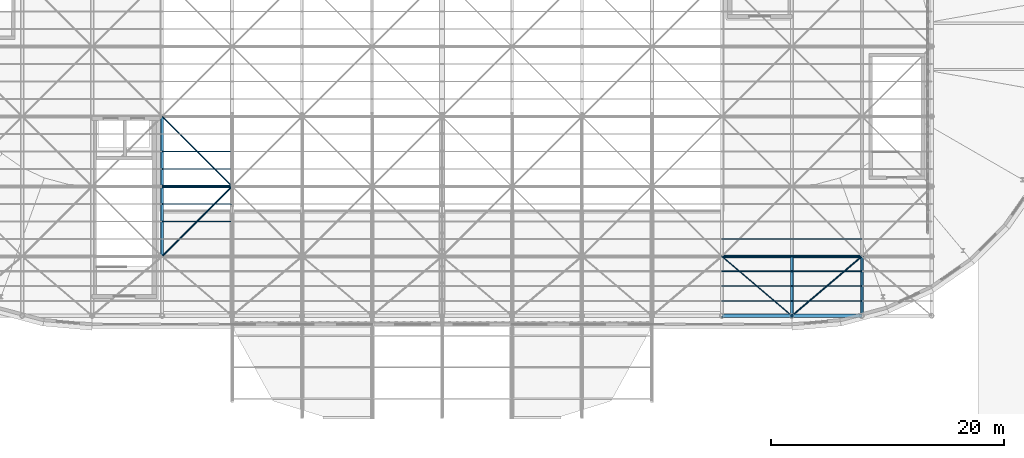
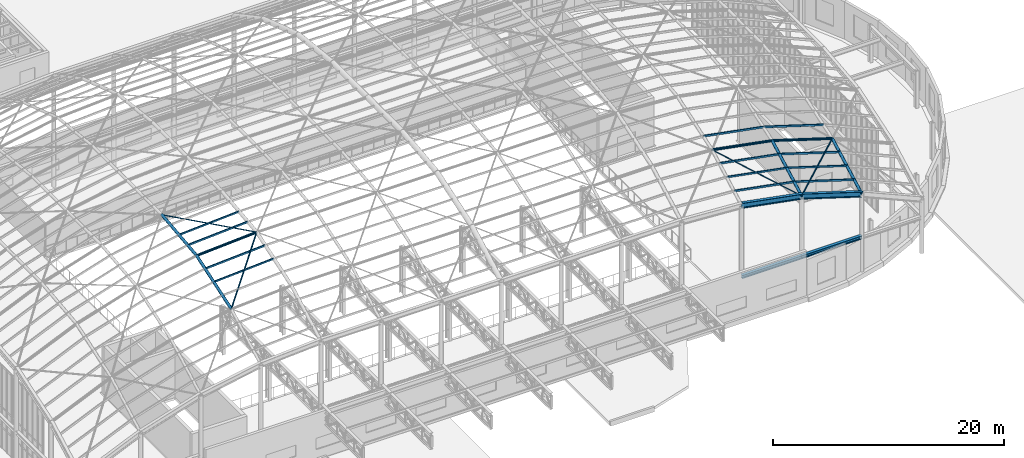
# One storey, part 28 of 75: 23 members, 4 beams.
"""IFC4 building model written with IfcOpenShell, lengths in metres."""

from ifc_helpers import new_model, si_unit, direction, frame, origin, origin_2d, place, context, subcontext, project, spatial, hollow_rectangle, hollow_circle, i_section, extrude, material, material_profile, profile_set, type_object, element, save


model = new_model("IFC4")

# Units and contexts
model_context = context("Model", 3, precision=1e-05, world=origin(), true_north=direction((0.0, 1.0)))
body_context = subcontext(model_context, "Body", "Model", "MODEL_VIEW")
ifc_project = project(units=[si_unit("LENGTHUNIT", "METRE"), si_unit("AREAUNIT", "SQUARE_METRE"), si_unit("VOLUMEUNIT", "CUBIC_METRE"), si_unit("PLANEANGLEUNIT", "RADIAN"), si_unit("MASSUNIT", "GRAM", prefix="KILO")], contexts=[model_context])

# Site, building, storey
site_placement = place(None, origin())
site = spatial("IfcSite", under=ifc_project, at=site_placement, CompositionType="ELEMENT")
building_placement = place(site_placement, origin())
building = spatial("IfcBuilding", under=site, at=building_placement, Name="Kolvaren Corner Interchange", CompositionType="ELEMENT")
storey_placement = place(building_placement, frame((0.0, 0.0, 10.5)))
storey = spatial("IfcBuildingStorey", under=building, at=storey_placement, Name="L03", CompositionType="ELEMENT", Elevation=10.5)

# Beams
ifc_material_1 = material(Name="Steel S355", Category="steel")
ifc_material_profile_1 = material_profile(ifc_material_1, i_section(OverallWidth=0.300048828125, OverallDepth=0.35009765625, WebThickness=0.010009765625, FlangeThickness=0.017578125, FilletRadius=0.027099609375, at=origin_2d()), Name="HEA 360")
ifc_profile_set_1 = profile_set([ifc_material_profile_1], Name="Steel S355")
beam_type_1 = type_object("IfcBeamType", Name="BM-HEA360", PredefinedType="BEAM", material=ifc_profile_set_1)
for number, where, z_axis, x_axis, name in (
    (1, (114.0, 24.89990234375, 3.77490234375), (1.0, 0.0, 0.0), (0.0, 1.0, 0.0), "Storey L03 Grid X Primary Girder 0840"),
    (2, (120.0, 24.89990234375, 3.77490234375), (1.0, 0.0, 0.0), (0.0, 1.0, 0.0), "Storey L03 Grid X Primary Girder 0841"),
):
    element("IfcBeam", number, at=place(storey_placement, frame(where, z_axis=z_axis, x_axis=x_axis)), inside=storey, type_object=beam_type_1, Name=name, PredefinedType="BEAM", context=body_context, shape_type="SweptSolid", body=[
        extrude(i_section(OverallWidth=0.300048828125, OverallDepth=0.35009765625, WebThickness=0.010009765625, FlangeThickness=0.017578125, FilletRadius=0.027099609375, at=origin_2d()), origin(), (0.0, 0.0, 1.0), 6.0),
    ])
ifc_material_2 = material(Name="Steel S355", Category="steel")
ifc_material_profile_2 = material_profile(ifc_material_2, i_section(OverallWidth=0.300048828125, OverallDepth=0.5400390625, WebThickness=0.012451171875, FlangeThickness=0.02392578125, FilletRadius=0.027099609375, at=origin_2d()), Name="HEA 550")
ifc_profile_set_2 = profile_set([ifc_material_profile_2], Name="Steel S355")
beam_type_2 = type_object("IfcBeamType", Name="BM-HEA550", PredefinedType="BEAM", material=ifc_profile_set_2)
beam_1_placement = place(storey_placement, frame((114.0, 24.89990234375, 11.2900390625), z_axis=(0.982872186934, 0.0, -0.18428853505), x_axis=(0.0, 1.0, 0.0)))
element("IfcBeam", 3, at=beam_1_placement, inside=storey, type_object=beam_type_2, Name="Concourse Translational Gridshell Eaves Ring Beam 012", PredefinedType="BEAM", context=body_context, shape_type="SweptSolid", body=[
    extrude(i_section(OverallWidth=0.300048828125, OverallDepth=0.5400390625, WebThickness=0.012451171875, FlangeThickness=0.02392578125, FilletRadius=0.027099609375, at=origin_2d()), origin(), (0.0, 0.0, 1.0), 6.1044921875),
])
beam_2_placement = place(storey_placement, frame((120.0, 24.89990234375, 10.1650390625), z_axis=(0.954479978035, 0.0, -0.298274993136), x_axis=(0.0, 1.0, 0.0)))
element("IfcBeam", 4, at=beam_2_placement, inside=storey, type_object=beam_type_2, Name="Concourse Translational Gridshell Eaves Ring Beam 013", PredefinedType="BEAM", context=body_context, shape_type="SweptSolid", body=[
    extrude(i_section(OverallWidth=0.300048828125, OverallDepth=0.5400390625, WebThickness=0.012451171875, FlangeThickness=0.02392578125, FilletRadius=0.027099609375, at=origin_2d()), origin(), (0.0, 0.0, 1.0), 6.2861328125),
])

# Members
ifc_material_3 = material(Name="Steel S355", Category="steel")
ifc_material_profile_3 = material_profile(ifc_material_3, hollow_circle(Radius=0.05078125, WallThickness=0.00634765625, at=origin_2d()), Name="CHS 101.6x6.3")
ifc_profile_set_3 = profile_set([ifc_material_profile_3], Name="Steel S355")
member_type_1 = type_object("IfcMemberType", Name="MEM-BR-CHS102", PredefinedType="BRACE", material=ifc_profile_set_3)
member_1_placement = place(storey_placement, frame((66.0, 42.0, 16.705078125), z_axis=(0.706688489265, -0.706688489265, -0.034391252977), x_axis=(0.707106781187, 0.707106781187, 0.0)))
element("IfcMember", 5, at=member_1_placement, inside=storey, type_object=member_type_1, Name="Concourse Translational Gridshell Nodal Diagonal Brace 0027", PredefinedType="BRACE", context=body_context, shape_type="SweptSolid", body=[
    extrude(hollow_circle(Radius=0.05078125, WallThickness=0.00634765625, at=origin_2d()), origin(), (0.0, 0.0, 1.0), 8.490234375),
])
member_2_placement = place(storey_placement, frame((114.0, 30.0, 14.0380859375), z_axis=(0.683712456602, -0.581166716244, -0.44134173224), x_axis=(0.647655619635, 0.761933198092, 0.0)))
element("IfcMember", 6, at=member_2_placement, inside=storey, type_object=member_type_1, Name="Concourse Translational Gridshell Nodal Diagonal Brace 0089", PredefinedType="BRACE", context=body_context, shape_type="SweptSolid", body=[
    extrude(hollow_circle(Radius=0.05078125, WallThickness=0.00634765625, at=origin_2d()), origin(), (0.0, 0.0, 1.0), 8.775634765625),
])
ifc_material_4 = material(Name="Steel S355", Category="steel")
ifc_material_profile_4 = material_profile(ifc_material_4, hollow_circle(Radius=0.06982421875, WallThickness=0.008056640625, at=origin_2d()), Name="CHS 139.7x8.0")
ifc_profile_set_4 = profile_set([ifc_material_profile_4], Name="Steel S355")
member_type_2 = type_object("IfcMemberType", Name="MEM-BR-CHS140", PredefinedType="BRACE", material=ifc_profile_set_4)
member_3_placement = place(storey_placement, frame((66.0, 30.0, 14.0380859375), z_axis=(0.680936695779, 0.680936695779, 0.269537442079), x_axis=(-0.707106781187, 0.707106781187, 0.0)))
element("IfcMember", 7, at=member_3_placement, inside=storey, type_object=member_type_2, Name="Concourse Translational Gridshell Nodal Diagonal Brace 0026", PredefinedType="BRACE", context=body_context, shape_type="SweptSolid", body=[
    extrude(hollow_circle(Radius=0.06982421875, WallThickness=0.008056640625, at=origin_2d()), origin(), (0.0, 0.0, 1.0), 8.811279296875),
])
member_4_placement = place(storey_placement, frame((120.0, 24.89990234375, 10.1650390625), z_axis=(0.757293261075, 0.64371159765, 0.11019208584), x_axis=(-0.647655619635, 0.761933198092, 0.0)))
element("IfcMember", 8, at=member_4_placement, inside=storey, type_object=member_type_2, Name="Concourse Translational Gridshell Nodal Diagonal Brace 0097", PredefinedType="BRACE", context=body_context, shape_type="SweptSolid", body=[
    extrude(hollow_circle(Radius=0.06982421875, WallThickness=0.008056640625, at=origin_2d()), origin(), (0.0, 0.0, 1.0), 7.9228515625),
])
ifc_material_5 = material(Name="Steel S355", Category="steel")
ifc_material_profile_5 = material_profile(ifc_material_5, hollow_circle(Radius=0.122314453125, WallThickness=0.012451171875, at=origin_2d()), Name="CHS 244.5x12.5")
ifc_profile_set_5 = profile_set([ifc_material_profile_5], Name="Steel S355")
member_type_3 = type_object("IfcMemberType", Name="MEM-CH-CHS245", PredefinedType="CHORD", material=ifc_profile_set_5)
member_5_placement = place(storey_placement, frame((114.0, 30.0, 14.0380859375), z_axis=(0.982872186934, 0.0, -0.18428853505), x_axis=(0.0, 1.0, 0.0)))
element("IfcMember", 9, at=member_5_placement, inside=storey, type_object=member_type_3, Name="Concourse Translational Gridshell Longitudinal Arch Chord 0116", PredefinedType="CHORD", context=body_context, shape_type="SweptSolid", body=[
    extrude(hollow_circle(Radius=0.122314453125, WallThickness=0.012451171875, at=origin_2d()), origin(), (0.0, 0.0, 1.0), 6.1044921875),
])
member_6_placement = place(storey_placement, frame((120.0, 30.0, 12.9130859375), z_axis=(0.954479978035, 0.0, -0.298274993136), x_axis=(0.0, 1.0, 0.0)))
element("IfcMember", 10, at=member_6_placement, inside=storey, type_object=member_type_3, Name="Concourse Translational Gridshell Longitudinal Arch Chord 0117", PredefinedType="CHORD", context=body_context, shape_type="SweptSolid", body=[
    extrude(hollow_circle(Radius=0.122314453125, WallThickness=0.012451171875, at=origin_2d()), origin(), (0.0, 0.0, 1.0), 6.2861328125),
])
member_7_placement = place(storey_placement, frame((66.0, 36.0, 16.0380859375), z_axis=(0.998052578483, 0.0, 0.062378286155), x_axis=(0.0, 1.0, 0.0)))
element("IfcMember", 11, at=member_7_placement, inside=storey, type_object=member_type_3, Name="Concourse Translational Gridshell Longitudinal Arch Chord 0122", PredefinedType="CHORD", context=body_context, shape_type="SweptSolid", body=[
    extrude(hollow_circle(Radius=0.122314453125, WallThickness=0.012451171875, at=origin_2d()), origin(), (0.0, 0.0, 1.0), 6.01171875),
])
ifc_material_6 = material(Name="Steel S355", Category="steel")
ifc_material_profile_6 = material_profile(ifc_material_6, hollow_circle(Radius=0.136474609375, WallThickness=0.012451171875, at=origin_2d()), Name="CHS 273.0x12.5")
ifc_profile_set_6 = profile_set([ifc_material_profile_6], Name="Steel S355")
member_type_4 = type_object("IfcMemberType", Name="MEM-CH-CHS273", PredefinedType="CHORD", material=ifc_profile_set_6)
member_8_placement = place(storey_placement, frame((66.0, 30.0, 14.0380859375), z_axis=(0.0, 0.948683298051, 0.316227766017), x_axis=(-1.0, 0.0, 0.0)))
element("IfcMember", 12, at=member_8_placement, inside=storey, type_object=member_type_4, Name="Concourse Translational Gridshell Transverse Arch Chord 0018", PredefinedType="CHORD", context=body_context, shape_type="SweptSolid", body=[
    extrude(hollow_circle(Radius=0.136474609375, WallThickness=0.012451171875, at=origin_2d()), origin(), (0.0, 0.0, 1.0), 6.324462890625),
])
member_9_placement = place(storey_placement, frame((66.0, 36.0, 16.0380859375), z_axis=(0.0, 0.993877815052, 0.110484789662), x_axis=(-1.0, 0.0, 0.0)))
element("IfcMember", 13, at=member_9_placement, inside=storey, type_object=member_type_4, Name="Concourse Translational Gridshell Transverse Arch Chord 0019", PredefinedType="CHORD", context=body_context, shape_type="SweptSolid", body=[
    extrude(hollow_circle(Radius=0.136474609375, WallThickness=0.012451171875, at=origin_2d()), origin(), (0.0, 0.0, 1.0), 6.036865234375),
])
for number, where, z_axis, x_axis, name in (
    (14, (120.0, 24.89990234375, 10.1650390625), (0.0, 0.880338454691, 0.474346081666), (-1.0, 0.0, 0.0), "Concourse Translational Gridshell Transverse Arch Chord 0089"),
    (15, (126.0, 24.89990234375, 8.2900390625), (0.0, 0.880338454691, 0.474346081666), (-1.0, 0.0, 0.0), "Concourse Translational Gridshell Transverse Arch Chord 0097"),
):
    element("IfcMember", number, at=place(storey_placement, frame(where, z_axis=z_axis, x_axis=x_axis)), inside=storey, type_object=member_type_4, Name=name, PredefinedType="CHORD", context=body_context, shape_type="SweptSolid", body=[
        extrude(hollow_circle(Radius=0.136474609375, WallThickness=0.012451171875, at=origin_2d()), origin(), (0.0, 0.0, 1.0), 5.79345703125),
    ])
ifc_material_7 = material(Name="Steel S355", Category="steel")
ifc_material_profile_7 = material_profile(ifc_material_7, hollow_rectangle(XDim=0.10009765625, YDim=0.179931640625, WallThickness=0.008056640625, InnerFilletRadius=0.008056640625, OuterFilletRadius=0.01611328125, at=origin_2d()), Name="RHS 180x100x8.0")
ifc_profile_set_7 = profile_set([ifc_material_profile_7], Name="Steel S355")
member_type_5 = type_object("IfcMemberType", Name="MEM-PR-RHS180", PredefinedType="PURLIN", material=ifc_profile_set_7)
for number, where, z_axis, x_axis, name in (
    (16, (66.0, 33.0, 15.0859375), (0.998052578483, 0.0, 0.062378286155), (0.0, 1.0, 0.0), "Concourse Translational Gridshell Glazing Purlin 0026 Row 2"),
    (17, (66.0, 39.0, 16.41943359375), (0.998052578483, 0.0, 0.062378286155), (0.0, 1.0, 0.0), "Concourse Translational Gridshell Glazing Purlin 0027 Row 2"),
):
    element("IfcMember", number, at=place(storey_placement, frame(where, z_axis=z_axis, x_axis=x_axis)), inside=storey, type_object=member_type_5, Name=name, PredefinedType="PURLIN", context=body_context, shape_type="SweptSolid", body=[
        extrude(hollow_rectangle(XDim=0.10009765625, YDim=0.179931640625, WallThickness=0.008056640625, InnerFilletRadius=0.008056640625, OuterFilletRadius=0.01611328125, at=origin_2d()), origin(), (0.0, 0.0, 1.0), 6.01171875),
    ])
member_10_placement = place(storey_placement, frame((114.0, 27.449951171875, 12.7119140625), z_axis=(0.982872186934, 0.0, -0.18428853505), x_axis=(0.0, 1.0, 0.0)))
element("IfcMember", 18, at=member_10_placement, inside=storey, type_object=member_type_5, Name="Concourse Translational Gridshell Glazing Purlin 0089 Row 2", PredefinedType="PURLIN", context=body_context, shape_type="SweptSolid", body=[
    extrude(hollow_rectangle(XDim=0.10009765625, YDim=0.179931640625, WallThickness=0.008056640625, InnerFilletRadius=0.008056640625, OuterFilletRadius=0.01611328125, at=origin_2d()), origin(), (0.0, 0.0, 1.0), 6.1044921875),
])
member_11_placement = place(storey_placement, frame((120.0, 27.449951171875, 11.5869140625), z_axis=(0.954479978035, 0.0, -0.298274993136), x_axis=(0.0, 1.0, 0.0)))
element("IfcMember", 19, at=member_11_placement, inside=storey, type_object=member_type_5, Name="Concourse Translational Gridshell Glazing Purlin 0097 Row 2", PredefinedType="PURLIN", context=body_context, shape_type="SweptSolid", body=[
    extrude(hollow_rectangle(XDim=0.10009765625, YDim=0.179931640625, WallThickness=0.008056640625, InnerFilletRadius=0.008056640625, OuterFilletRadius=0.01611328125, at=origin_2d()), origin(), (0.0, 0.0, 1.0), 6.2861328125),
])
ifc_material_8 = material(Name="Steel S355", Category="steel")
ifc_material_profile_8 = material_profile(ifc_material_8, hollow_rectangle(XDim=0.10009765625, YDim=0.199951171875, WallThickness=0.008056640625, InnerFilletRadius=0.008056640625, OuterFilletRadius=0.01611328125, at=origin_2d()), Name="RHS 200x100x8.0")
ifc_profile_set_8 = profile_set([ifc_material_profile_8], Name="Steel S355")
member_type_6 = type_object("IfcMemberType", Name="MEM-PR-RHS200", PredefinedType="PURLIN", material=ifc_profile_set_8)
for number, where, z_axis, x_axis, name in (
    (20, (66.0, 34.5, 15.575927734375), (0.998052578483, 0.0, 0.062378286155), (0.0, 1.0, 0.0), "Concourse Translational Gridshell Glazing Purlin 0026 Row 3"),
    (21, (66.0, 37.5, 16.24267578125), (0.998052578483, 0.0, 0.062378286155), (0.0, 1.0, 0.0), "Concourse Translational Gridshell Glazing Purlin 0027 Row 1"),
):
    element("IfcMember", number, at=place(storey_placement, frame(where, z_axis=z_axis, x_axis=x_axis)), inside=storey, type_object=member_type_6, Name=name, PredefinedType="PURLIN", context=body_context, shape_type="SweptSolid", body=[
        extrude(hollow_rectangle(XDim=0.10009765625, YDim=0.199951171875, WallThickness=0.008056640625, InnerFilletRadius=0.008056640625, OuterFilletRadius=0.01611328125, at=origin_2d()), origin(), (0.0, 0.0, 1.0), 6.01171875),
    ])
for number, where, z_axis, x_axis, name in (
    (22, (114.0, 26.175048828125, 12.014892578125), (0.982872186934, 0.0, -0.18428853505), (0.0, 1.0, 0.0), "Concourse Translational Gridshell Glazing Purlin 0089 Row 1"),
    (23, (114.0, 28.72509765625, 13.388916015625), (0.982872186934, 0.0, -0.18428853505), (0.0, 1.0, 0.0), "Concourse Translational Gridshell Glazing Purlin 0089 Row 3"),
    (24, (114.0, 31.5, 14.575927734375), (0.982872186934, 0.0, -0.18428853505), (0.0, 1.0, 0.0), "Concourse Translational Gridshell Glazing Purlin 0090 Row 1"),
):
    element("IfcMember", number, at=place(storey_placement, frame(where, z_axis=z_axis, x_axis=x_axis)), inside=storey, type_object=member_type_6, Name=name, PredefinedType="PURLIN", context=body_context, shape_type="SweptSolid", body=[
        extrude(hollow_rectangle(XDim=0.10009765625, YDim=0.199951171875, WallThickness=0.008056640625, InnerFilletRadius=0.008056640625, OuterFilletRadius=0.01611328125, at=origin_2d()), origin(), (0.0, 0.0, 1.0), 6.1044921875),
    ])
for number, where, z_axis, x_axis, name in (
    (25, (120.0, 26.175048828125, 10.889892578125), (0.954479978035, 0.0, -0.298274993136), (0.0, 1.0, 0.0), "Concourse Translational Gridshell Glazing Purlin 0097 Row 1"),
    (26, (120.0, 28.72509765625, 12.263916015625), (0.954479978035, 0.0, -0.298274993136), (0.0, 1.0, 0.0), "Concourse Translational Gridshell Glazing Purlin 0097 Row 3"),
    (27, (120.0, 31.5, 13.450927734375), (0.954479978035, 0.0, -0.298274993136), (0.0, 1.0, 0.0), "Concourse Translational Gridshell Glazing Purlin 0098 Row 1"),
):
    element("IfcMember", number, at=place(storey_placement, frame(where, z_axis=z_axis, x_axis=x_axis)), inside=storey, type_object=member_type_6, Name=name, PredefinedType="PURLIN", context=body_context, shape_type="SweptSolid", body=[
        extrude(hollow_rectangle(XDim=0.10009765625, YDim=0.199951171875, WallThickness=0.008056640625, InnerFilletRadius=0.008056640625, OuterFilletRadius=0.01611328125, at=origin_2d()), origin(), (0.0, 0.0, 1.0), 6.2861328125),
    ])

save(model, "model.ifc")
